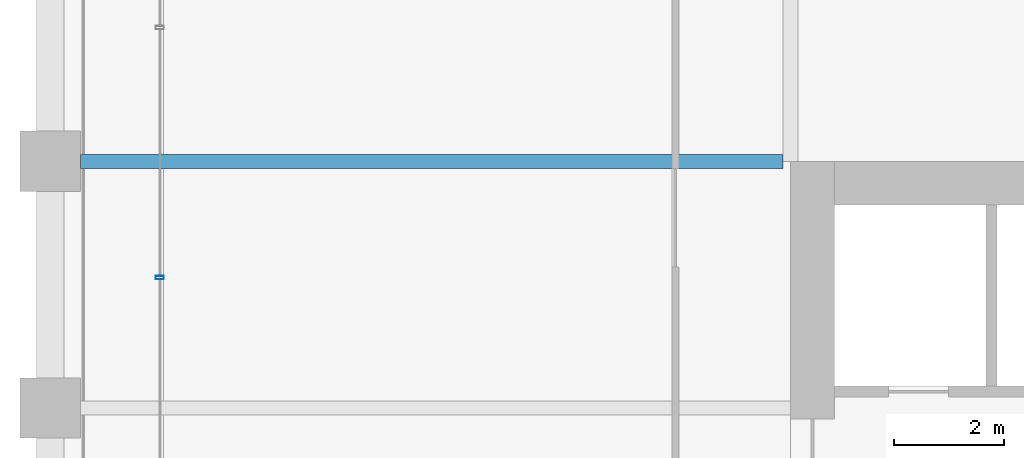
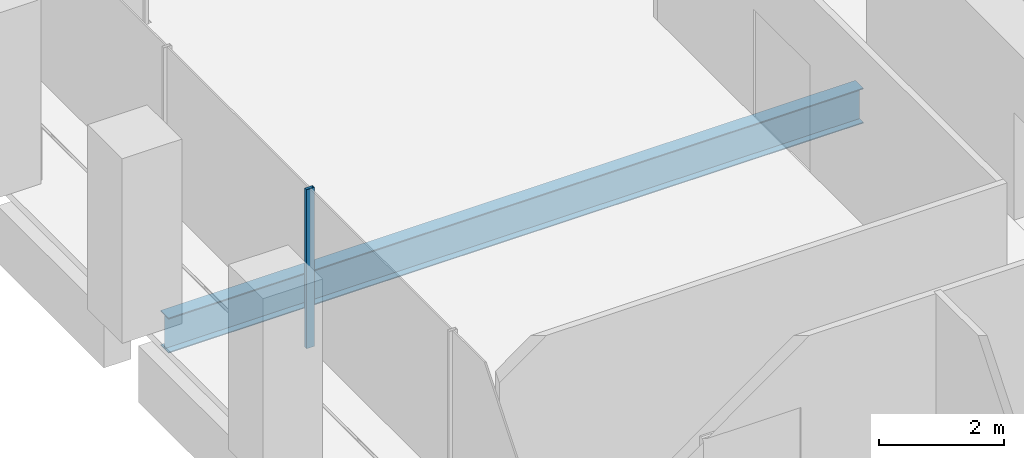
# One storey, part 14 of 54: 1 beam, 1 member, 1 element without a shape of its own.
"""IFC4 building model written with IfcOpenShell, lengths in metres."""

from ifc_helpers import new_model, si_unit, direction, frame, origin, origin_2d, place, context, subcontext, project, spatial, hollow_rectangle, i_section, extrude, material, material_profile, profile_set, type_object, element, aggregate, save


model = new_model("IFC4")

# Units and contexts
model_context = context("Model", 3, precision=1e-05, world=origin(), true_north=direction((0.0, 1.0)))
body_context = subcontext(model_context, "Body", "Model", "MODEL_VIEW")
ifc_project = project(units=[si_unit("LENGTHUNIT", "METRE"), si_unit("AREAUNIT", "SQUARE_METRE"), si_unit("VOLUMEUNIT", "CUBIC_METRE"), si_unit("PLANEANGLEUNIT", "RADIAN"), si_unit("MASSUNIT", "GRAM", prefix="KILO")], contexts=[model_context])

# Site, building, storey
site_placement = place(None, origin())
site = spatial("IfcSite", under=ifc_project, at=site_placement, CompositionType="ELEMENT")
building_placement = place(site_placement, origin())
building = spatial("IfcBuilding", under=site, at=building_placement, Name="Altepetl Exchange Towers", CompositionType="ELEMENT")
storey_placement = place(building_placement, frame((0.0, 0.0, 65.39990234375)))
storey = spatial("IfcBuildingStorey", under=building, at=storey_placement, Name="L15", CompositionType="ELEMENT", Elevation=65.39990234375)

# Beam
ifc_material_1 = material(Name="Steel S355", Category="steel")
ifc_material_profile_1 = material_profile(ifc_material_1, i_section(OverallWidth=0.25390625, OverallDepth=0.68408203125, WebThickness=0.012451171875, FlangeThickness=0.018798828125, at=origin_2d()), Name="W27X94")
ifc_profile_set_1 = profile_set([ifc_material_profile_1], Name="Steel S355")
beam_type = type_object("IfcBeamType", Name="Floor beam W27X94", PredefinedType="BEAM", material=ifc_profile_set_1)
beam_placement = place(storey_placement, frame((27.550048828125, 58.5, -0.491943359375), z_axis=(1.0, 0.0, 0.0), x_axis=(0.0, 1.0, 0.0)))
element("IfcBeam", 1, at=beam_placement, inside=storey, type_object=beam_type, Name="bm:A:L15:021", PredefinedType="BEAM", context=body_context, shape_type="SweptSolid", body=[
    extrude(i_section(OverallWidth=0.25390625, OverallDepth=0.68408203125, WebThickness=0.012451171875, FlangeThickness=0.018798828125, at=origin_2d()), origin(), (0.0, 0.0, 1.0), 12.81591796875),
])

# Curtain wall, member
ifc_material_2 = material(Name="Aluminium 6063-T6 glazing", Category="aluminium")
curtain_wall_type = type_object("IfcCurtainWallType", Name="Loggia glazing system", PredefinedType="NOTDEFINED", material=ifc_material_2)
curtain_wall_placement = place(storey_placement, origin())
curtain_wall = element("IfcCurtainWall", 2, at=curtain_wall_placement, inside=storey, type_object=curtain_wall_type, Name="CW1 run", PredefinedType="NOTDEFINED")
ifc_material_3 = material(Name="Aluminium 6063-T6", Category="aluminium")
ifc_material_profile_2 = material_profile(ifc_material_3, hollow_rectangle(XDim=0.06005859375, YDim=0.14990234375, WallThickness=0.0029296875, at=origin_2d()), Name="Mullion 60x150 aluminium")
ifc_profile_set_2 = profile_set([ifc_material_profile_2], Name="Aluminium 6063-T6")
member_type = type_object("IfcMemberType", Name="Mullion 60x150 aluminium", PredefinedType="MULLION", material=ifc_profile_set_2)
member_placement = place(storey_placement, frame((29.0, 56.378662109375, 0.0), z_axis=(0.0, 0.0, 1.0), x_axis=(0.0, -1.0, 0.0)))
member = element("IfcMember", 3, at=member_placement, type_object=member_type, Name="MU1 mullion", PredefinedType="MULLION", context=body_context, shape_type="SweptSolid", body=[
    extrude(hollow_rectangle(XDim=0.06005859375, YDim=0.14990234375, WallThickness=0.0029296875, at=origin_2d()), origin(), (0.0, 0.0, 1.0), 3.10009765625),
])
aggregate(curtain_wall, [member])

save(model, "model.ifc")
